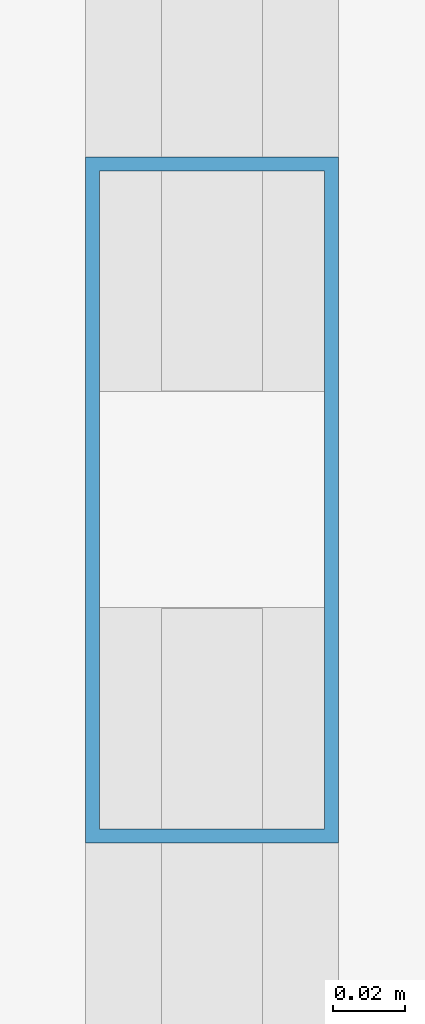
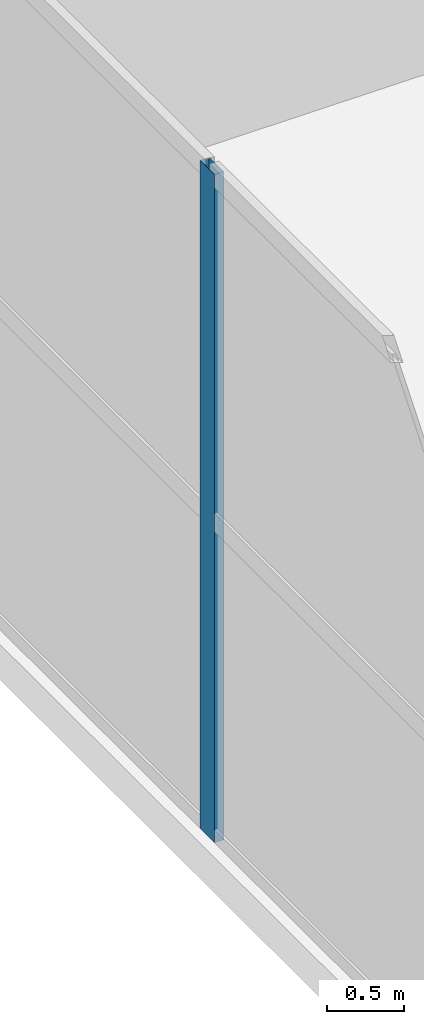
# One storey, part 4 of 40: 1 member, 1 element without a shape of its own.
"""IFC4 building model written with IfcOpenShell, lengths in metres."""

from ifc_helpers import new_model, si_unit, direction, frame, origin, origin_2d, place, context, subcontext, project, spatial, hollow_rectangle, extrude, material, layer, layer_set, material_profile, profile_set, type_object, element, aggregate, save


model = new_model("IFC4")

# Units and contexts
model_context = context("Model", 3, precision=1e-05, world=origin(), true_north=direction((0.0, 1.0)))
body_context = subcontext(model_context, "Body", "Model", "MODEL_VIEW")
ifc_project = project(units=[si_unit("LENGTHUNIT", "METRE"), si_unit("AREAUNIT", "SQUARE_METRE"), si_unit("VOLUMEUNIT", "CUBIC_METRE"), si_unit("PLANEANGLEUNIT", "RADIAN"), si_unit("MASSUNIT", "GRAM", prefix="KILO")], contexts=[model_context])

# Site, building, storey
site_placement = place(None, origin())
site = spatial("IfcSite", under=ifc_project, at=site_placement, CompositionType="ELEMENT")
building_placement = place(site_placement, origin())
building = spatial("IfcBuilding", under=site, at=building_placement, Name="Maruvema Waterfront Hotel and Observation Tower", CompositionType="ELEMENT")
storey_placement = place(building_placement, frame((0.0, 0.0, 10.85009765625)))
storey = spatial("IfcBuildingStorey", under=building, at=storey_placement, Name="L02", CompositionType="ELEMENT", Elevation=10.85009765625)

# Curtain wall, member
ifc_material_1 = material(Name="Anodised bronze aluminium and solar-control low-E IGU", Category="aluminium")
ifc_layer = layer(ifc_material_1, 0.159912109375, Name="Podium Waterfront Storefront Curtain Wall System CW-01")
ifc_layer_set = layer_set([ifc_layer], Name="Anodised bronze aluminium and solar-control low-E IGU")
curtain_wall_type = type_object("IfcCurtainWallType", Name="Podium Waterfront Storefront Curtain Wall System CW-01", PredefinedType="USERDEFINED", material=ifc_layer_set)
curtain_wall_placement = place(storey_placement, origin())
curtain_wall = element("IfcCurtainWall", 1, at=curtain_wall_placement, inside=storey, type_object=curtain_wall_type, Name="L02 Curtain Wall CW-L02-W", ObjectType="UNITISED CURTAIN WALL", PredefinedType="USERDEFINED")
ifc_material_2 = material(Name="Anodised architectural bronze aluminium", Category="aluminium")
ifc_material_profile = material_profile(ifc_material_2, hollow_rectangle(XDim=0.070068359375, YDim=0.18994140625, WallThickness=0.00390625, at=origin_2d()), Name="ALU-M70x190")
ifc_profile_set = profile_set([ifc_material_profile], Name="Anodised architectural bronze aluminium")
member_type = type_object("IfcMemberType", Name="Podium Storefront Heavy Mullion ALU-M70x190", PredefinedType="MULLION", material=ifc_profile_set)
member_placement = place(storey_placement, frame((0.1201171875, 14.639892578125, 0.0), z_axis=(0.0, 0.0, 1.0), x_axis=(1.0, 0.0, 0.0)))
member = element("IfcMember", 2, at=member_placement, type_object=member_type, Name="CW-01 mullion 5", PredefinedType="MULLION", context=body_context, shape_type="SweptSolid", body=[
    extrude(hollow_rectangle(XDim=0.070068359375, YDim=0.18994140625, WallThickness=0.00390625, at=origin_2d()), origin(), (0.0, 0.0, 1.0), 5.31982421875),
])
aggregate(curtain_wall, [member])

save(model, "model.ifc")
